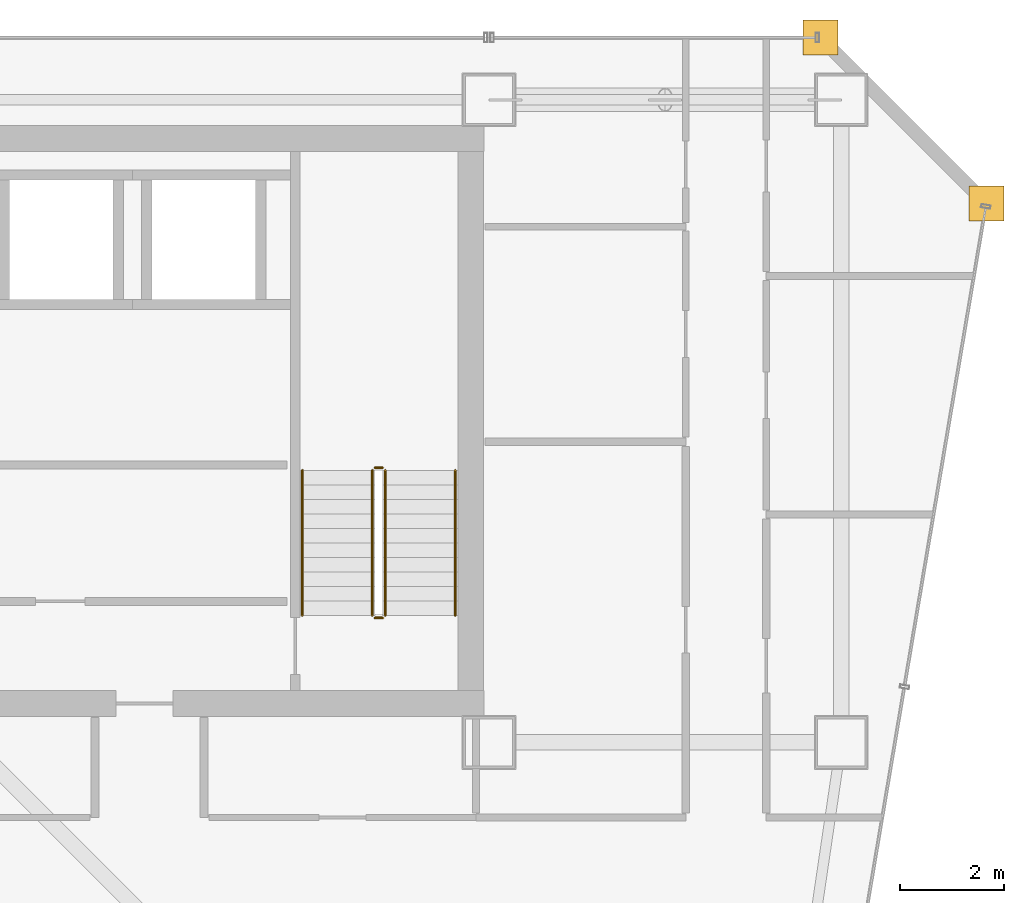
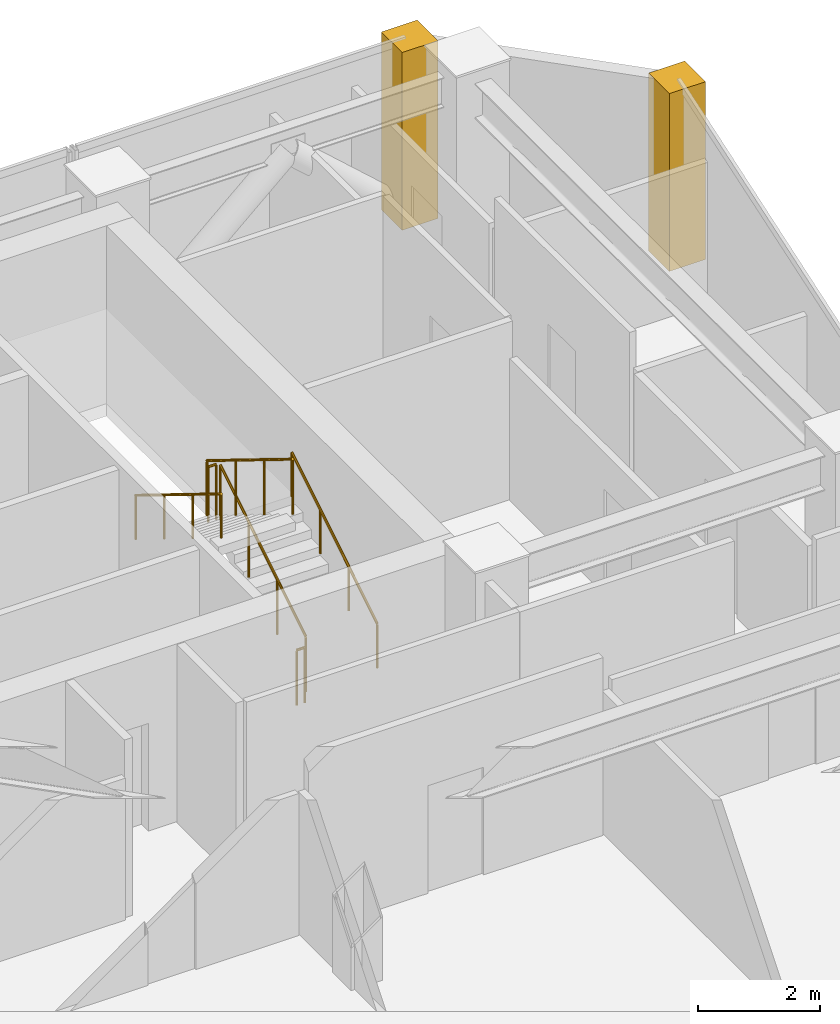
# One storey, part 35 of 35: 6 railings, 2 coverings.
"""IFC4 building model written with IfcOpenShell, lengths in metres."""

from ifc_helpers import new_model, si_unit, direction, frame, origin, origin_2d, place, context, subcontext, project, spatial, polyline, circle, outline, extrude, material, layer, layer_set, type_object, element, save


model = new_model("IFC4")

# Units and contexts
model_context = context("Model", 3, precision=1e-05, world=origin(), true_north=direction((0.0, 1.0)))
body_context = subcontext(model_context, "Body", "Model", "MODEL_VIEW")
ifc_project = project(units=[si_unit("LENGTHUNIT", "METRE"), si_unit("AREAUNIT", "SQUARE_METRE"), si_unit("VOLUMEUNIT", "CUBIC_METRE"), si_unit("PLANEANGLEUNIT", "RADIAN"), si_unit("MASSUNIT", "GRAM", prefix="KILO")], contexts=[model_context])

# Site, building, storey
site_placement = place(None, origin())
site = spatial("IfcSite", under=ifc_project, at=site_placement, CompositionType="ELEMENT")
building_placement = place(site_placement, origin())
building = spatial("IfcBuilding", under=site, at=building_placement, Name="Saevonmaru Cultural Tower", CompositionType="ELEMENT")
storey_placement = place(building_placement, frame((0.0, 0.0, 179.0)))
storey = spatial("IfcBuildingStorey", under=building, at=storey_placement, Name="L40", CompositionType="ELEMENT", Elevation=179.0)

# Coverings
ifc_material_1 = material(Name="Satin Bronze Anodised Aluminium", Category="aluminium")
ifc_layer = layer(ifc_material_1, 0.679931640625, Name="Satin Bronze Anodised Aluminium")
ifc_layer_set = layer_set([ifc_layer], Name="Satin Bronze Anodised Aluminium")
covering_type = type_object("IfcCoveringType", Name="CV-CORNER-CLAD", PredefinedType="CLADDING", material=ifc_layer_set)
covering_1_placement = place(storey_placement, origin())
element("IfcCovering", 1, at=covering_1_placement, inside=storey, type_object=covering_type, Name="L40 Tower Bronze Corner Cladding Pier 9", PredefinedType="CLADDING", context=body_context, shape_type="SweptSolid", body=[
    extrude(outline(polyline([(55.659912109375, 52.4599609375), (56.340087890625, 52.4599609375), (56.340087890625, 53.139892578125), (55.659912109375, 53.139892578125), (55.659912109375, 52.4599609375)])), origin(), (0.0, 0.0, 1.0), 3.550048828125),
])
covering_2_placement = place(storey_placement, origin())
element("IfcCovering", 2, at=covering_2_placement, inside=storey, type_object=covering_type, Name="L40 Tower Bronze Corner Cladding Pier 10", PredefinedType="CLADDING", context=body_context, shape_type="SweptSolid", body=[
    extrude(outline(polyline([(52.4599609375, 55.659912109375), (53.139892578125, 55.659912109375), (53.139892578125, 56.340087890625), (52.4599609375, 56.340087890625), (52.4599609375, 55.659912109375)])), origin(), (0.0, 0.0, 1.0), 3.550048828125),
])

# Railings
ifc_material_2 = material(Name="Architectural Painted Steel", Category="steel")
railing_type_1 = type_object("IfcRailingType", Name="RL-STAIR-GUARD", PredefinedType="GUARDRAIL", material=ifc_material_2)
railing_1_placement = place(storey_placement, frame((44.39990234375, 44.85009765625, 0.172607421875)))
element("IfcRailing", 3, at=railing_1_placement, inside=storey, type_object=railing_type_1, Name="L40 ST-2 stair guard 1", PredefinedType="GUARDRAIL", context=body_context, shape_type="SweptSolid", body=[
    extrude(circle(Radius=0.02392578125, at=origin_2d()), frame((0.0, 0.0, 1.09619140625), z_axis=(0.0, 0.851069175582, 0.525053576669), x_axis=(-1.0, 0.0, 0.0)), (0.0, 0.0, 1.0), 3.289794921875),
    extrude(circle(Radius=0.02099609375, at=origin_2d()), origin(), (0.0, 0.0, 1.0), 1.072021484375),
    extrude(circle(Radius=0.02099609375, at=origin_2d()), frame((0.0, 0.933349609375, 0.57568359375)), (0.0, 0.0, 1.0), 1.072021484375),
    extrude(circle(Radius=0.02099609375, at=origin_2d()), frame((0.0, 1.866455078125, 1.151611328125)), (0.0, 0.0, 1.0), 1.072021484375),
    extrude(circle(Radius=0.02099609375, at=origin_2d()), frame((0.0, 2.7998046875, 1.727294921875)), (0.0, 0.0, 1.0), 1.072021484375),
])
railing_2_placement = place(storey_placement, frame((44.35009765625, 47.699951171875, 1.89990234375)))
element("IfcRailing", 4, at=railing_2_placement, inside=storey, type_object=railing_type_1, Name="L40 ST-2 stair guard 2", PredefinedType="GUARDRAIL", context=body_context, shape_type="SweptSolid", body=[
    extrude(circle(Radius=0.02392578125, at=origin_2d()), frame((0.0, 0.0, 1.09619140625), z_axis=(-1.0, 0.0, 0.0), x_axis=(0.0, -1.0, 0.0)), (0.0, 0.0, 1.0), 0.150146484375),
    extrude(circle(Radius=0.02099609375, at=origin_2d()), origin(), (0.0, 0.0, 1.0), 1.072021484375),
    extrude(circle(Radius=0.02099609375, at=origin_2d()), frame((-0.150146484375, 0.0, 0.0)), (0.0, 0.0, 1.0), 1.072021484375),
])
railing_3_placement = place(storey_placement, frame((44.14990234375, 47.64990234375, 2.07275390625)))
element("IfcRailing", 5, at=railing_3_placement, inside=storey, type_object=railing_type_1, Name="L40 ST-2 stair guard 3", PredefinedType="GUARDRAIL", context=body_context, shape_type="SweptSolid", body=[
    extrude(circle(Radius=0.02392578125, at=origin_2d()), frame((0.0, 0.0, 1.09619140625), z_axis=(0.0, -0.851069175582, 0.525053576669), x_axis=(1.0, 0.0, 0.0)), (0.0, 0.0, 1.0), 3.289794921875),
    extrude(circle(Radius=0.02099609375, at=origin_2d()), origin(), (0.0, 0.0, 1.0), 1.072021484375),
    extrude(circle(Radius=0.02099609375, at=origin_2d()), frame((0.0, -0.933349609375, 0.57568359375)), (0.0, 0.0, 1.0), 1.072021484375),
    extrude(circle(Radius=0.02099609375, at=origin_2d()), frame((0.0, -1.866455078125, 1.151611328125)), (0.0, 0.0, 1.0), 1.072021484375),
    extrude(circle(Radius=0.02099609375, at=origin_2d()), frame((0.0, -2.7998046875, 1.727294921875)), (0.0, 0.0, 1.0), 1.072021484375),
])
railing_4_placement = place(storey_placement, frame((44.35009765625, 44.800048828125, 0.0)))
element("IfcRailing", 6, at=railing_4_placement, inside=storey, type_object=railing_type_1, Name="L40 ST-2 stair guard 4", PredefinedType="GUARDRAIL", context=body_context, shape_type="SweptSolid", body=[
    extrude(circle(Radius=0.02392578125, at=origin_2d()), frame((0.0, 0.0, 1.09619140625), z_axis=(-1.0, 0.0, 0.0), x_axis=(0.0, -1.0, 0.0)), (0.0, 0.0, 1.0), 0.150146484375),
    extrude(circle(Radius=0.02099609375, at=origin_2d()), origin(), (0.0, 0.0, 1.0), 1.072021484375),
    extrude(circle(Radius=0.02099609375, at=origin_2d()), frame((-0.150146484375, 0.0, 0.0)), (0.0, 0.0, 1.0), 1.072021484375),
])
railing_type_2 = type_object("IfcRailingType", Name="RL-STAIR-HANDRAIL", PredefinedType="HANDRAIL", material=ifc_material_1)
railing_5_placement = place(storey_placement, frame((45.75, 44.85009765625, 0.172607421875)))
element("IfcRailing", 7, at=railing_5_placement, inside=storey, type_object=railing_type_2, Name="L40 ST-2 stair handrail 1", PredefinedType="HANDRAIL", context=body_context, shape_type="SweptSolid", body=[
    extrude(circle(Radius=0.02392578125, at=origin_2d()), frame((0.0, 0.0, 0.8759765625), z_axis=(0.0, 0.851069175582, 0.525053576669), x_axis=(-1.0, 0.0, 0.0)), (0.0, 0.0, 1.0), 3.289794921875),
    extrude(circle(Radius=0.02099609375, at=origin_2d()), origin(), (0.0, 0.0, 1.0), 0.851806640625),
    extrude(circle(Radius=0.02099609375, at=origin_2d()), frame((0.0, 0.933349609375, 0.57568359375)), (0.0, 0.0, 1.0), 0.851806640625),
    extrude(circle(Radius=0.02099609375, at=origin_2d()), frame((0.0, 1.866455078125, 1.151611328125)), (0.0, 0.0, 1.0), 0.851806640625),
    extrude(circle(Radius=0.02099609375, at=origin_2d()), frame((0.0, 2.7998046875, 1.727294921875)), (0.0, 0.0, 1.0), 0.851806640625),
])
railing_6_placement = place(storey_placement, frame((42.800048828125, 47.64990234375, 2.07275390625)))
element("IfcRailing", 8, at=railing_6_placement, inside=storey, type_object=railing_type_2, Name="L40 ST-2 stair handrail 2", PredefinedType="HANDRAIL", context=body_context, shape_type="SweptSolid", body=[
    extrude(circle(Radius=0.02392578125, at=origin_2d()), frame((0.0, 0.0, 0.8759765625), z_axis=(0.0, -0.851069175582, 0.525053576669), x_axis=(1.0, 0.0, 0.0)), (0.0, 0.0, 1.0), 3.289794921875),
    extrude(circle(Radius=0.02099609375, at=origin_2d()), origin(), (0.0, 0.0, 1.0), 0.851806640625),
    extrude(circle(Radius=0.02099609375, at=origin_2d()), frame((0.0, -0.933349609375, 0.57568359375)), (0.0, 0.0, 1.0), 0.851806640625),
    extrude(circle(Radius=0.02099609375, at=origin_2d()), frame((0.0, -1.866455078125, 1.151611328125)), (0.0, 0.0, 1.0), 0.851806640625),
    extrude(circle(Radius=0.02099609375, at=origin_2d()), frame((0.0, -2.7998046875, 1.727294921875)), (0.0, 0.0, 1.0), 0.851806640625),
])

save(model, "model.ifc")
